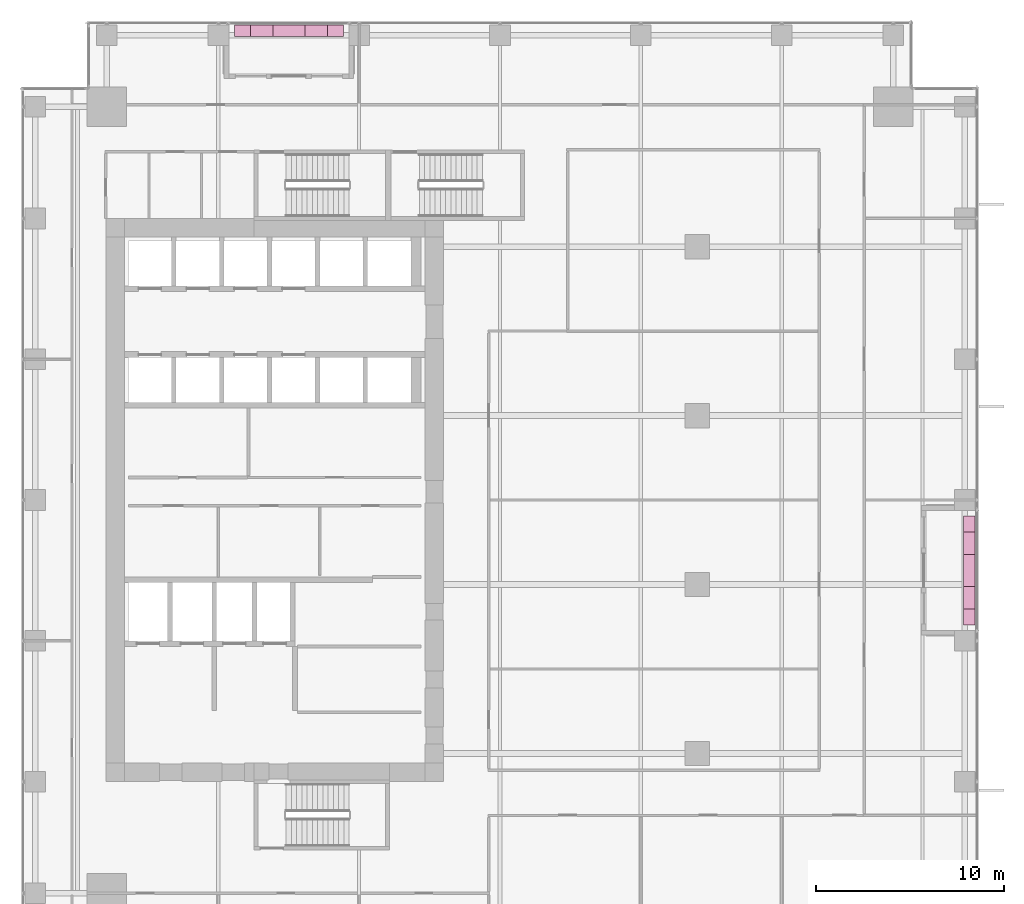
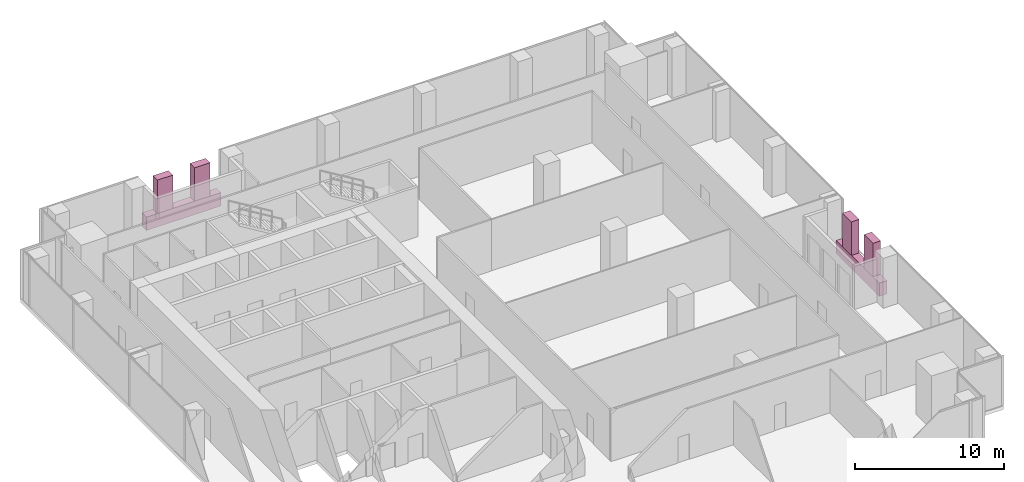
# One storey, part 34 of 34: 6 furnishings.
"""IFC4 building model written with IfcOpenShell, lengths in metres."""

from ifc_helpers import new_model, si_unit, direction, frame, origin, origin_2d, place, context, subcontext, project, spatial, rectangle, extrude, source, transform, mapped, material, type_object, element, save


model = new_model("IFC4")

# Units and contexts
model_context = context("Model", 3, precision=1e-05, world=origin(), true_north=direction((0.0, 1.0)))
body_context = subcontext(model_context, "Body", "Model", "MODEL_VIEW")
ifc_project = project(units=[si_unit("LENGTHUNIT", "METRE"), si_unit("AREAUNIT", "SQUARE_METRE"), si_unit("VOLUMEUNIT", "CUBIC_METRE"), si_unit("PLANEANGLEUNIT", "RADIAN"), si_unit("MASSUNIT", "GRAM", prefix="KILO")], contexts=[model_context])

# Site, building, storey
site_placement = place(None, origin())
site = spatial("IfcSite", under=ifc_project, at=site_placement, CompositionType="ELEMENT")
building_placement = place(site_placement, origin())
building = spatial("IfcBuilding", under=site, at=building_placement, Name="Khomas Fold Tower", CompositionType="ELEMENT")
storey_placement = place(building_placement, frame((0.0, 0.0, 110.300048828125)))
storey = spatial("IfcBuildingStorey", under=building, at=storey_placement, Name="L23", CompositionType="ELEMENT", Elevation=110.300048828125)

# Furnishings
ifc_material_1 = material(Name="Planting")
furnishing_element_type_1 = type_object("IfcFurnishingElementType", Name="BL-Tree Karee", material=ifc_material_1)
shared_shape_1 = source(origin(), body_context, "Body", "SweptSolid", [
    extrude(rectangle(XDim=1.199951171875, YDim=0.60009765625, at=origin_2d()), origin(), (0.0, 0.0, 1.0), 2.7451171875),
])
furnishing_1_placement = place(storey_placement, frame((14.300048828125, 52.0, 1.054931640625), z_axis=(0.0, 0.0, 1.0), x_axis=(1.0, 0.0, 0.0)))
element("IfcFurnishingElement", 1, at=furnishing_1_placement, inside=storey, type_object=furnishing_element_type_1, Name="PLANTER (TREE) Karee BAL-L23-N1-1", context=body_context, shape_type="MappedRepresentation", body=[
    mapped(shared_shape_1, transform((0.0, 0.0, 0.0))),
])
ifc_material_2 = material(Name="Planting")
furnishing_element_type_2 = type_object("IfcFurnishingElementType", Name="BL-Tree Wild olive", material=ifc_material_2)
furnishing_2_placement = place(storey_placement, frame((17.199951171875, 52.0, 1.054931640625), z_axis=(0.0, 0.0, 1.0), x_axis=(1.0, 0.0, 0.0)))
element("IfcFurnishingElement", 2, at=furnishing_2_placement, inside=storey, type_object=furnishing_element_type_2, Name="PLANTER (TREE) Wild olive BAL-L23-N1-2", context=body_context, shape_type="MappedRepresentation", body=[
    mapped(shared_shape_1, transform((0.0, 0.0, 0.0))),
])
furnishing_3_placement = place(storey_placement, frame((52.0, 21.800048828125, 1.054931640625), z_axis=(0.0, 0.0, 1.0), x_axis=(0.0, 1.0, 0.0)))
element("IfcFurnishingElement", 3, at=furnishing_3_placement, inside=storey, type_object=furnishing_element_type_1, Name="PLANTER (TREE) Karee BAL-L23-E2-1", context=body_context, shape_type="MappedRepresentation", body=[
    mapped(shared_shape_1, transform((0.0, 0.0, 0.0))),
])
furnishing_4_placement = place(storey_placement, frame((52.0, 24.699951171875, 1.054931640625), z_axis=(0.0, 0.0, 1.0), x_axis=(0.0, 1.0, 0.0)))
element("IfcFurnishingElement", 4, at=furnishing_4_placement, inside=storey, type_object=furnishing_element_type_2, Name="PLANTER (TREE) Wild olive BAL-L23-E2-2", context=body_context, shape_type="MappedRepresentation", body=[
    mapped(shared_shape_1, transform((0.0, 0.0, 0.0))),
])
ifc_material_3 = material(Name="Precast concrete C40/50", Category="concrete")
furnishing_element_type_3 = type_object("IfcFurnishingElementType", Name="BL-Structural planter box", material=ifc_material_3)
shared_shape_2 = source(origin(), body_context, "Body", "SweptSolid", [
    extrude(rectangle(XDim=5.800048828125, YDim=0.60009765625, at=origin_2d()), origin(), (0.0, 0.0, 1.0), 1.10009765625),
])
for number, where, z_axis, x_axis, name in (
    (5, (15.75, 52.0, -0.045166015625), (0.0, 0.0, 1.0), (1.0, 0.0, 0.0), "PLANTER BAL-L23-N1"),
    (6, (52.0, 23.25, -0.045166015625), (0.0, 0.0, 1.0), (0.0, 1.0, 0.0), "PLANTER BAL-L23-E2"),
):
    element("IfcFurnishingElement", number, at=place(storey_placement, frame(where, z_axis=z_axis, x_axis=x_axis)), inside=storey, type_object=furnishing_element_type_3, Name=name, context=body_context, shape_type="MappedRepresentation", body=[
        mapped(shared_shape_2, transform((0.0, 0.0, 0.0))),
    ])

save(model, "model.ifc")
